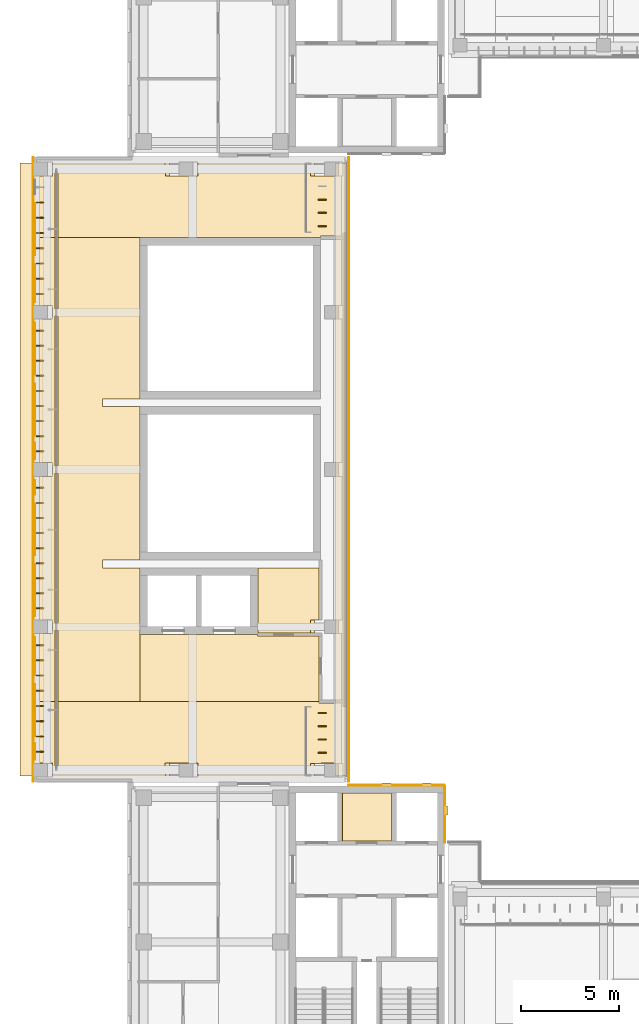
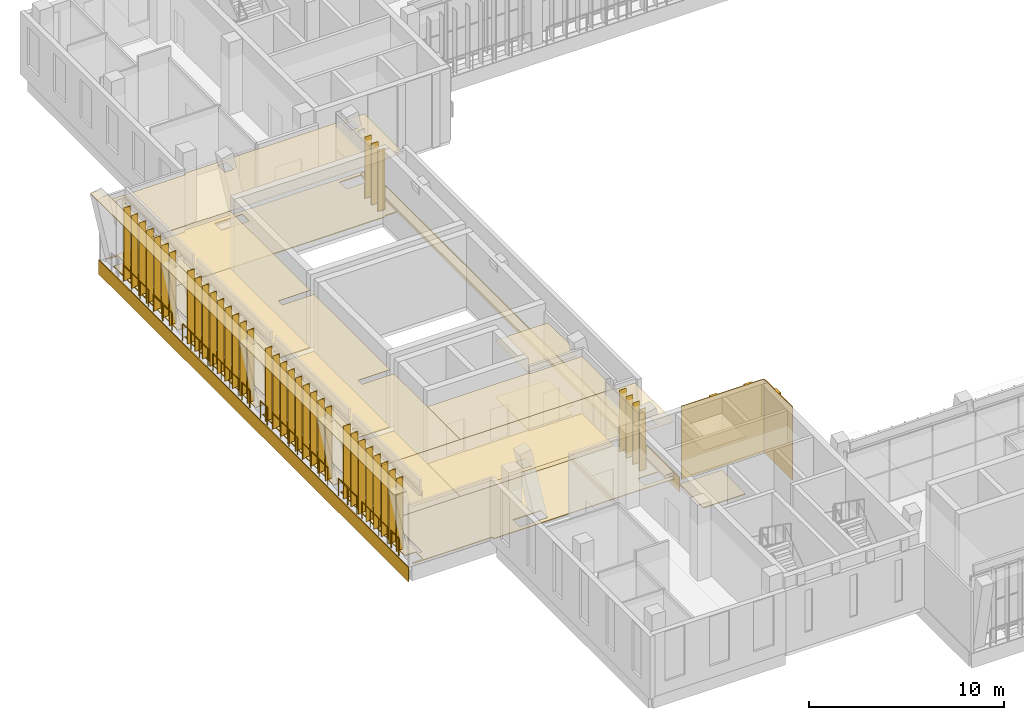
# One storey, part 59 of 73: 40 shading devices, 21 coverings, 11 railings.
"""IFC4 building model written with IfcOpenShell, lengths in metres."""

from ifc_helpers import new_model, si_unit, direction, frame, frame_2d, origin, origin_2d, place, context, subcontext, project, spatial, polyline, rectangle, circle, outline, extrude, material, layer, layer_set, type_object, element, save


model = new_model("IFC4")

# Units and contexts
model_context = context("Model", 3, precision=1e-05, world=origin(), true_north=direction((0.0, 1.0)))
body_context = subcontext(model_context, "Body", "Model", "MODEL_VIEW")
ifc_project = project(units=[si_unit("LENGTHUNIT", "METRE"), si_unit("AREAUNIT", "SQUARE_METRE"), si_unit("VOLUMEUNIT", "CUBIC_METRE"), si_unit("PLANEANGLEUNIT", "RADIAN"), si_unit("MASSUNIT", "GRAM", prefix="KILO")], contexts=[model_context])

# Site, building, storey
site_placement = place(None, origin())
site = spatial("IfcSite", under=ifc_project, at=site_placement, CompositionType="ELEMENT")
building_placement = place(site_placement, origin())
building = spatial("IfcBuilding", under=site, at=building_placement, Name="Lantern Court Media Centre", CompositionType="ELEMENT")
storey_placement = place(building_placement, frame((0.0, 0.0, 24.0)))
storey = spatial("IfcBuildingStorey", under=building, at=storey_placement, Name="L05", CompositionType="ELEMENT", Elevation=24.0)

# Coverings
ifc_material_1 = material(Name="Ceramic tile")
ifc_layer_1 = layer(ifc_material_1, 0.050048828125)
ifc_layer_set_1 = layer_set([ifc_layer_1], Name="Ceramic tile")
covering_type_1 = type_object("IfcCoveringType", Name="Ceramic tile floor finish", PredefinedType="FLOORING", material=ifc_layer_set_1)
covering_1_placement = place(storey_placement, origin())
element("IfcCovering", 1, at=covering_1_placement, inside=storey, type_object=covering_type_1, Name="Accessible WC floor finish", PredefinedType="FLOORING", context=body_context, shape_type="SweptSolid", body=[
    extrude(outline(polyline([(17.514892578125, 75.0), (17.514892578125, 72.35498046875), (17.091552734375, 72.352783203125), (17.0908203125, 71.679931640625), (14.405029296875, 71.679931640625), (14.405029296875, 75.0), (17.514892578125, 75.0)])), origin(), (0.0, 0.0, 1.0), 0.050048828125),
])
covering_2_placement = place(storey_placement, origin())
element("IfcCovering", 2, at=covering_2_placement, inside=storey, type_object=covering_type_1, Name="Accessible WC floor finish", PredefinedType="FLOORING", context=body_context, shape_type="SweptSolid", body=[
    extrude(outline(polyline([(21.195068359375, 63.544921875), (21.195068359375, 61.10498046875), (18.705078125, 61.10498046875), (18.705078125, 63.544921875), (21.195068359375, 63.544921875)])), origin(), (0.0, 0.0, 1.0), 0.050048828125),
])

# Railings
ifc_material_2 = material(Name="Powder-coated steel", Category="steel")
railing_type = type_object("IfcRailingType", Name="Floor edge guard 1100", PredefinedType="GUARDRAIL", material=ifc_material_2)
railing_1_placement = place(storey_placement, frame((3.06005859375, 65.259033203125, 0.0)))
element("IfcRailing", 3, at=railing_1_placement, inside=storey, type_object=railing_type, Name="L05 edge guard 153", PredefinedType="GUARDRAIL", context=body_context, shape_type="SweptSolid", body=[
    extrude(circle(Radius=0.02392578125, at=origin_2d()), frame((0.0, 0.0, 1.076171875), z_axis=(0.0, 1.0, 0.0), x_axis=(-1.0, 0.0, 0.0)), (0.0, 0.0, 1.0), 0.799072265625),
    extrude(circle(Radius=0.02099609375, at=origin_2d()), origin(), (0.0, 0.0, 1.0), 1.052001953125),
    extrude(circle(Radius=0.02099609375, at=origin_2d()), frame((0.0, 0.799072265625, 0.0)), (0.0, 0.0, 1.0), 1.052001953125),
])
railing_2_placement = place(storey_placement, frame((3.06005859375, 66.4580078125, 0.0)))
element("IfcRailing", 4, at=railing_2_placement, inside=storey, type_object=railing_type, Name="L05 edge guard 154", PredefinedType="GUARDRAIL", context=body_context, shape_type="SweptSolid", body=[
    extrude(circle(Radius=0.02392578125, at=origin_2d()), frame((0.0, 0.0, 1.076171875), z_axis=(0.0, 1.0, 0.0), x_axis=(-1.0, 0.0, 0.0)), (0.0, 0.0, 1.0), 2.597900390625),
    extrude(circle(Radius=0.02099609375, at=origin_2d()), origin(), (0.0, 0.0, 1.0), 1.052001953125),
    extrude(circle(Radius=0.02099609375, at=origin_2d()), frame((0.0, 0.865966796875, 0.0)), (0.0, 0.0, 1.0), 1.052001953125),
    extrude(circle(Radius=0.02099609375, at=origin_2d()), frame((0.0, 1.73193359375, 0.0)), (0.0, 0.0, 1.0), 1.052001953125),
    extrude(circle(Radius=0.02099609375, at=origin_2d()), frame((0.0, 2.597900390625, 0.0)), (0.0, 0.0, 1.0), 1.052001953125),
])
railing_3_placement = place(storey_placement, frame((3.06005859375, 69.554931640625, 0.0)))
element("IfcRailing", 5, at=railing_3_placement, inside=storey, type_object=railing_type, Name="L05 edge guard 155", PredefinedType="GUARDRAIL", context=body_context, shape_type="SweptSolid", body=[
    extrude(circle(Radius=0.02392578125, at=origin_2d()), frame((0.0, 0.0, 1.076171875), z_axis=(0.0, 1.0, 0.0), x_axis=(-1.0, 0.0, 0.0)), (0.0, 0.0, 1.0), 1.899169921875),
    extrude(circle(Radius=0.02099609375, at=origin_2d()), origin(), (0.0, 0.0, 1.0), 1.052001953125),
    extrude(circle(Radius=0.02099609375, at=origin_2d()), frame((0.0, 0.94970703125, 0.0)), (0.0, 0.0, 1.0), 1.052001953125),
    extrude(circle(Radius=0.02099609375, at=origin_2d()), frame((0.0, 1.899169921875, 0.0)), (0.0, 0.0, 1.0), 1.052001953125),
])
railing_4_placement = place(storey_placement, frame((3.06005859375, 72.552978515625, 0.0)))
element("IfcRailing", 6, at=railing_4_placement, inside=storey, type_object=railing_type, Name="L05 edge guard 156", PredefinedType="GUARDRAIL", context=body_context, shape_type="SweptSolid", body=[
    extrude(circle(Radius=0.02392578125, at=origin_2d()), frame((0.0, 0.0, 1.076171875), z_axis=(0.0, 1.0, 0.0), x_axis=(-1.0, 0.0, 0.0)), (0.0, 0.0, 1.0), 2.597900390625),
    extrude(circle(Radius=0.02099609375, at=origin_2d()), origin(), (0.0, 0.0, 1.0), 1.052001953125),
    extrude(circle(Radius=0.02099609375, at=origin_2d()), frame((0.0, 0.865966796875, 0.0)), (0.0, 0.0, 1.0), 1.052001953125),
    extrude(circle(Radius=0.02099609375, at=origin_2d()), frame((0.0, 1.73193359375, 0.0)), (0.0, 0.0, 1.0), 1.052001953125),
    extrude(circle(Radius=0.02099609375, at=origin_2d()), frame((0.0, 2.597900390625, 0.0)), (0.0, 0.0, 1.0), 1.052001953125),
])
railing_5_placement = place(storey_placement, frame((3.06005859375, 75.64990234375, 0.0)))
element("IfcRailing", 7, at=railing_5_placement, inside=storey, type_object=railing_type, Name="L05 edge guard 157", PredefinedType="GUARDRAIL", context=body_context, shape_type="SweptSolid", body=[
    extrude(circle(Radius=0.02392578125, at=origin_2d()), frame((0.0, 0.0, 1.076171875), z_axis=(0.0, 1.0, 0.0), x_axis=(-1.0, 0.0, 0.0)), (0.0, 0.0, 1.0), 2.59814453125),
    extrude(circle(Radius=0.02099609375, at=origin_2d()), origin(), (0.0, 0.0, 1.0), 1.052001953125),
    extrude(circle(Radius=0.02099609375, at=origin_2d()), frame((0.0, 0.865966796875, 0.0)), (0.0, 0.0, 1.0), 1.052001953125),
    extrude(circle(Radius=0.02099609375, at=origin_2d()), frame((0.0, 1.732177734375, 0.0)), (0.0, 0.0, 1.0), 1.052001953125),
    extrude(circle(Radius=0.02099609375, at=origin_2d()), frame((0.0, 2.59814453125, 0.0)), (0.0, 0.0, 1.0), 1.052001953125),
])
railing_6_placement = place(storey_placement, frame((3.06005859375, 78.748046875, 0.0)))
element("IfcRailing", 8, at=railing_6_placement, inside=storey, type_object=railing_type, Name="L05 edge guard 158", PredefinedType="GUARDRAIL", context=body_context, shape_type="SweptSolid", body=[
    extrude(circle(Radius=0.02392578125, at=origin_2d()), frame((0.0, 0.0, 1.076171875), z_axis=(0.0, 1.0, 0.0), x_axis=(-1.0, 0.0, 0.0)), (0.0, 0.0, 1.0), 0.698974609375),
    extrude(circle(Radius=0.02099609375, at=origin_2d()), origin(), (0.0, 0.0, 1.0), 1.052001953125),
    extrude(circle(Radius=0.02099609375, at=origin_2d()), frame((0.0, 0.698974609375, 0.0)), (0.0, 0.0, 1.0), 1.052001953125),
])
railing_7_placement = place(storey_placement, frame((3.06005859375, 80.5458984375, 0.0)))
element("IfcRailing", 9, at=railing_7_placement, inside=storey, type_object=railing_type, Name="L05 edge guard 159", PredefinedType="GUARDRAIL", context=body_context, shape_type="SweptSolid", body=[
    extrude(circle(Radius=0.02392578125, at=origin_2d()), frame((0.0, 0.0, 1.076171875), z_axis=(0.0, 1.0, 0.0), x_axis=(-1.0, 0.0, 0.0)), (0.0, 0.0, 1.0), 0.799072265625),
    extrude(circle(Radius=0.02099609375, at=origin_2d()), origin(), (0.0, 0.0, 1.0), 1.052001953125),
    extrude(circle(Radius=0.02099609375, at=origin_2d()), frame((0.0, 0.799072265625, 0.0)), (0.0, 0.0, 1.0), 1.052001953125),
])
for number, where, name in (
    (10, (3.06005859375, 81.7451171875, 0.0), "L05 edge guard 160"),
    (11, (3.06005859375, 84.842041015625, 0.0), "L05 edge guard 161"),
):
    element("IfcRailing", number, at=place(storey_placement, frame(where)), inside=storey, type_object=railing_type, Name=name, PredefinedType="GUARDRAIL", context=body_context, shape_type="SweptSolid", body=[
        extrude(circle(Radius=0.02392578125, at=origin_2d()), frame((0.0, 0.0, 1.076171875), z_axis=(0.0, 1.0, 0.0), x_axis=(-1.0, 0.0, 0.0)), (0.0, 0.0, 1.0), 2.597900390625),
        extrude(circle(Radius=0.02099609375, at=origin_2d()), origin(), (0.0, 0.0, 1.0), 1.052001953125),
        extrude(circle(Radius=0.02099609375, at=origin_2d()), frame((0.0, 0.865966796875, 0.0)), (0.0, 0.0, 1.0), 1.052001953125),
        extrude(circle(Radius=0.02099609375, at=origin_2d()), frame((0.0, 1.73193359375, 0.0)), (0.0, 0.0, 1.0), 1.052001953125),
        extrude(circle(Radius=0.02099609375, at=origin_2d()), frame((0.0, 2.597900390625, 0.0)), (0.0, 0.0, 1.0), 1.052001953125),
    ])
railing_8_placement = place(storey_placement, frame((3.06005859375, 88.5390625, 0.0)))
element("IfcRailing", 12, at=railing_8_placement, inside=storey, type_object=railing_type, Name="L05 edge guard 162", PredefinedType="GUARDRAIL", context=body_context, shape_type="SweptSolid", body=[
    extrude(circle(Radius=0.02392578125, at=origin_2d()), frame((0.0, 0.0, 1.076171875), z_axis=(0.0, 1.0, 0.0), x_axis=(-1.0, 0.0, 0.0)), (0.0, 0.0, 1.0), 1.89892578125),
    extrude(circle(Radius=0.02099609375, at=origin_2d()), origin(), (0.0, 0.0, 1.0), 1.052001953125),
    extrude(circle(Radius=0.02099609375, at=origin_2d()), frame((0.0, 0.949462890625, 0.0)), (0.0, 0.0, 1.0), 1.052001953125),
    extrude(circle(Radius=0.02099609375, at=origin_2d()), frame((0.0, 1.89892578125, 0.0)), (0.0, 0.0, 1.0), 1.052001953125),
])
railing_9_placement = place(storey_placement, frame((3.06005859375, 90.93701171875, 0.0)))
element("IfcRailing", 13, at=railing_9_placement, inside=storey, type_object=railing_type, Name="L05 edge guard 163", PredefinedType="GUARDRAIL", context=body_context, shape_type="SweptSolid", body=[
    extrude(circle(Radius=0.02392578125, at=origin_2d()), frame((0.0, 0.0, 1.076171875), z_axis=(0.0, 1.0, 0.0), x_axis=(-1.0, 0.0, 0.0)), (0.0, 0.0, 1.0), 2.597900390625),
    extrude(circle(Radius=0.02099609375, at=origin_2d()), origin(), (0.0, 0.0, 1.0), 1.052001953125),
    extrude(circle(Radius=0.02099609375, at=origin_2d()), frame((0.0, 0.865966796875, 0.0)), (0.0, 0.0, 1.0), 1.052001953125),
    extrude(circle(Radius=0.02099609375, at=origin_2d()), frame((0.0, 1.73193359375, 0.0)), (0.0, 0.0, 1.0), 1.052001953125),
    extrude(circle(Radius=0.02099609375, at=origin_2d()), frame((0.0, 2.597900390625, 0.0)), (0.0, 0.0, 1.0), 1.052001953125),
])

# Coverings
ifc_material_3 = material(Name="White glass-fibre reinforced cement cladding", Category="concrete")
ifc_layer_2 = layer(ifc_material_3, 0.050048828125)
ifc_layer_set_2 = layer_set([ifc_layer_2], Name="White glass-fibre reinforced cement cladding")
covering_type_2 = type_object("IfcCoveringType", Name="Floor-edge band 50", PredefinedType="CLADDING", material=ifc_layer_set_2)
for number, where, z_axis, x_axis, name in (
    (14, (2.97509765625, 64.10009765625, -0.89990234375), (0.0, 0.0, 1.0), (0.0, 1.0, 0.0), "Floor-edge band W outer L05"),
    (15, (19.02490234375, 64.10009765625, -0.89990234375), (0.0, 0.0, 1.0), (0.0, 1.0, 0.0), "Floor-edge band W inner L05"),
):
    element("IfcCovering", number, at=place(storey_placement, frame(where, z_axis=z_axis, x_axis=x_axis)), inside=storey, type_object=covering_type_2, Name=name, PredefinedType="CLADDING", context=body_context, shape_type="SweptSolid", body=[
        extrude(rectangle(XDim=31.7998046875, YDim=0.050048828125, at=frame_2d((15.89990234375, 0.0))), origin(), (0.0, 0.0, 1.0), 0.89990234375),
    ])
ifc_material_4 = material(Name="Honed limestone cladding", Category="masonry")
ifc_layer_3 = layer(ifc_material_4, 0.050048828125)
ifc_layer_set_3 = layer_set([ifc_layer_3], Name="Honed limestone cladding")
covering_type_3 = type_object("IfcCoveringType", Name="Limestone cladding panel 50", PredefinedType="CLADDING", material=ifc_layer_set_3)
covering_3_placement = place(storey_placement, frame((23.925048828125, 61.0, 0.0), z_axis=(0.0, 0.0, 1.0), x_axis=(0.0, 1.0, 0.0)))
element("IfcCovering", 16, at=covering_3_placement, inside=storey, type_object=covering_type_3, Name="Limestone joint cladding S-SW L05", PredefinedType="CLADDING", context=body_context, shape_type="SweptSolid", body=[
    extrude(rectangle(XDim=2.89990234375, YDim=0.050048828125, at=frame_2d((1.449951171875, 0.0))), origin(), (0.0, 0.0, 1.0), 4.580078125),
])
covering_4_placement = place(storey_placement, frame((19.0, 63.925048828125, 0.0), z_axis=(0.0, 0.0, 1.0), x_axis=(1.0, 0.0, 0.0)))
element("IfcCovering", 17, at=covering_4_placement, inside=storey, type_object=covering_type_3, Name="Limestone joint cladding W-SW L05", PredefinedType="CLADDING", context=body_context, shape_type="SweptSolid", body=[
    extrude(rectangle(XDim=4.89990234375, YDim=0.050048828125, at=frame_2d((2.449951171875, 0.0))), origin(), (0.0, 0.0, 1.0), 4.580078125),
])
ifc_layer_4 = layer(ifc_material_4, 0.14990234375)
ifc_layer_set_4 = layer_set([ifc_layer_4], Name="Honed limestone cladding")
covering_type_4 = type_object("IfcCoveringType", Name="Limestone pilaster cladding 150", PredefinedType="CLADDING", material=ifc_layer_set_4)
covering_5_placement = place(storey_placement, frame((20.72509765625, 63.97509765625, 0.0), z_axis=(0.0, 0.0, 1.0), x_axis=(1.0, 0.0, 0.0)))
element("IfcCovering", 18, at=covering_5_placement, inside=storey, type_object=covering_type_4, Name="Limestone pilaster rib", PredefinedType="CLADDING", context=body_context, shape_type="SweptSolid", body=[
    extrude(rectangle(XDim=0.449951171875, YDim=0.14990234375, at=frame_2d((0.22509765625, 0.0))), origin(), (0.0, 0.0, 1.0), 4.580078125),
])
covering_6_placement = place(storey_placement, frame((22.77490234375, 63.97509765625, 0.0), z_axis=(0.0, 0.0, 1.0), x_axis=(1.0, 0.0, 0.0)))
element("IfcCovering", 19, at=covering_6_placement, inside=storey, type_object=covering_type_4, Name="Limestone pilaster rib", PredefinedType="CLADDING", context=body_context, shape_type="SweptSolid", body=[
    extrude(rectangle(XDim=0.4501953125, YDim=0.14990234375, at=frame_2d((0.22509765625, 0.0))), origin(), (0.0, 0.0, 1.0), 4.580078125),
])
covering_7_placement = place(storey_placement, frame((23.97509765625, 62.425048828125, 0.0), z_axis=(0.0, 0.0, 1.0), x_axis=(0.0, 1.0, 0.0)))
element("IfcCovering", 20, at=covering_7_placement, inside=storey, type_object=covering_type_4, Name="Limestone pilaster rib", PredefinedType="CLADDING", context=body_context, shape_type="SweptSolid", body=[
    extrude(rectangle(XDim=0.449951171875, YDim=0.14990234375, at=frame_2d((0.22509765625, 0.0))), origin(), (0.0, 0.0, 1.0), 4.580078125),
])
ifc_material_5 = material(Name="Planting substrate")
ifc_layer_5 = layer(ifc_material_5, 0.199951171875)
ifc_layer_set_5 = layer_set([ifc_layer_5], Name="Planting substrate")
covering_type_5 = type_object("IfcCoveringType", Name="Planted ledge build-up 200", PredefinedType="ROOFING", material=ifc_layer_set_5)
covering_8_placement = place(storey_placement, origin())
element("IfcCovering", 21, at=covering_8_placement, inside=storey, type_object=covering_type_5, Name="Planted ledge W L05", PredefinedType="ROOFING", context=body_context, shape_type="SweptSolid", body=[
    extrude(outline(polyline([(18.85009765625, 64.39990234375), (18.85009765625, 95.60009765625), (18.320068359375, 95.60009765625), (18.320068359375, 64.39990234375), (18.85009765625, 64.39990234375)])), origin(), (0.0, 0.0, 1.0), 0.199951171875),
])
ifc_material_6 = material(Name="White fibre cement soffit board")
ifc_layer_6 = layer(ifc_material_6, 0.0400390625)
ifc_layer_set_6 = layer_set([ifc_layer_6], Name="White fibre cement soffit board")
covering_type_6 = type_object("IfcCoveringType", Name="Soffit lining 40", PredefinedType="CLADDING", material=ifc_layer_set_6)
covering_9_placement = place(storey_placement, frame((2.64990234375, 64.39990234375, 4.5400390625), z_axis=(0.0, 0.0, 1.0), x_axis=(0.0, 1.0, 0.0)))
element("IfcCovering", 22, at=covering_9_placement, inside=storey, type_object=covering_type_6, Name="Soffit lining W L05", PredefinedType="CLADDING", context=body_context, shape_type="SweptSolid", body=[
    extrude(rectangle(XDim=31.2001953125, YDim=0.699951171875, at=frame_2d((15.60009765625, 0.0))), origin(), (0.0, 0.0, 1.0), 0.0400390625),
])
ifc_material_7 = material(Name="Mineral fibre ceiling tile")
ifc_layer_7 = layer(ifc_material_7, 0.02001953125)
ifc_layer_set_7 = layer_set([ifc_layer_7], Name="Mineral fibre ceiling tile")
covering_type_7 = type_object("IfcCoveringType", Name="Suspended ceiling tile", PredefinedType="CEILING", material=ifc_layer_set_7)
covering_10_placement = place(storey_placement, frame((0.0, 0.0, 3.60009765625)))
element("IfcCovering", 23, at=covering_10_placement, inside=storey, type_object=covering_type_7, Name="End Lobby ceiling", PredefinedType="CEILING", context=body_context, shape_type="SweptSolid", body=[
    extrude(outline(polyline([(18.699951171875, 64.10009765625), (8.00048828125, 64.10009765625), (8.0, 64.240478515625), (3.300048828125, 64.240478515625), (3.300048828125, 68.199951171875), (4.074462890625, 68.199951171875), (4.074951171875, 64.8994140625), (4.2255859375, 64.89990234375), (4.2255859375, 68.199951171875), (17.51953125, 68.199951171875), (17.52001953125, 68.119384765625), (18.699951171875, 68.119384765625), (18.699951171875, 64.10009765625)]), holes=[polyline([(17.2978515625, 65.050537109375), (17.29736328125, 64.349609375), (17.796142578125, 64.349609375), (17.796142578125, 65.05029296875), (17.2978515625, 65.050537109375)]), polyline([(9.89794921875, 65.050537109375), (9.8974609375, 64.349609375), (10.39599609375, 64.349609375), (10.396240234375, 65.05029296875), (9.89794921875, 65.050537109375)])]), origin(), (0.0, 0.0, 1.0), 0.02001953125),
])
covering_11_placement = place(storey_placement, frame((0.0, 0.0, 3.60009765625)))
element("IfcCovering", 24, at=covering_11_placement, inside=storey, type_object=covering_type_7, Name="End Lobby ceiling", PredefinedType="CEILING", context=body_context, shape_type="SweptSolid", body=[
    extrude(outline(polyline([(18.699951171875, 95.89990234375), (18.699951171875, 91.880615234375), (17.60498046875, 91.880615234375), (17.6044921875, 91.800048828125), (4.2255859375, 91.800048828125), (4.2255859375, 95.10009765625), (4.074951171875, 95.1005859375), (4.074462890625, 91.800048828125), (3.300048828125, 91.800048828125), (3.300048828125, 95.759521484375), (8.0, 95.759521484375), (8.00048828125, 95.89990234375), (18.699951171875, 95.89990234375)]), holes=[polyline([(17.79638671875, 95.64990234375), (17.29736328125, 95.650390625), (17.297607421875, 94.949462890625), (17.796142578125, 94.94970703125), (17.79638671875, 95.64990234375)]), polyline([(9.89794921875, 95.650390625), (9.8974609375, 94.94970703125), (10.39599609375, 94.949462890625), (10.396240234375, 95.650390625), (9.89794921875, 95.650390625)])]), origin(), (0.0, 0.0, 1.0), 0.02001953125),
])
covering_12_placement = place(storey_placement, frame((0.0, 0.0, 3.60009765625)))
element("IfcCovering", 25, at=covering_12_placement, inside=storey, type_object=covering_type_7, Name="Lift Lobby ceiling", PredefinedType="CEILING", context=body_context, shape_type="SweptSolid", body=[
    extrude(outline(polyline([(8.39990234375, 68.199951171875), (8.39990234375, 71.599609375), (14.3994140625, 71.599609375), (14.39990234375, 71.5244140625), (17.51953125, 71.5244140625), (17.51953125, 68.199951171875), (8.39990234375, 68.199951171875)])), origin(), (0.0, 0.0, 1.0), 0.02001953125),
])
covering_13_placement = place(storey_placement, frame((0.0, 0.0, 3.60009765625)))
element("IfcCovering", 26, at=covering_13_placement, inside=storey, type_object=covering_type_7, Name="Accessible WC ceiling", PredefinedType="CEILING", context=body_context, shape_type="SweptSolid", body=[
    extrude(outline(polyline([(17.60009765625, 72.3505859375), (17.29736328125, 72.35009765625), (17.29736328125, 71.675537109375), (14.400390625, 71.675537109375), (14.400390625, 75.0), (17.51953125, 75.0), (17.51953125, 72.35498046875), (17.60009765625, 72.3505859375)])), origin(), (0.0, 0.0, 1.0), 0.02001953125),
])
covering_14_placement = place(storey_placement, frame((0.0, 0.0, 3.60009765625)))
element("IfcCovering", 27, at=covering_14_placement, inside=storey, type_object=covering_type_7, Name="Cinema Lobby ceiling", PredefinedType="CEILING", context=body_context, shape_type="SweptSolid", body=[
    extrude(outline(polyline([(8.39990234375, 68.199951171875), (4.2255859375, 68.199951171875), (4.22509765625, 71.800537109375), (4.074462890625, 71.800048828125), (4.074462890625, 68.199951171875), (3.300048828125, 68.199951171875), (3.300048828125, 91.800048828125), (4.074462890625, 91.800048828125), (4.074951171875, 88.199462890625), (4.2255859375, 88.199951171875), (4.2255859375, 91.800048828125), (8.3994140625, 91.800048828125), (8.3994140625, 83.60009765625), (6.5, 83.60009765625), (6.5, 83.199951171875), (8.3994140625, 83.199951171875), (8.3994140625, 75.39990234375), (6.5, 75.39990234375), (6.5, 75.0), (8.3994140625, 75.0), (8.39990234375, 68.199951171875)]), holes=[polyline([(4.22509765625, 80.199462890625), (4.2255859375, 87.800048828125), (4.074951171875, 87.800537109375), (4.074462890625, 80.199951171875), (4.22509765625, 80.199462890625)]), polyline([(4.22509765625, 72.199462890625), (4.2255859375, 79.800048828125), (4.074951171875, 79.800537109375), (4.074462890625, 72.199951171875), (4.22509765625, 72.199462890625)])]), origin(), (0.0, 0.0, 1.0), 0.02001953125),
])
covering_15_placement = place(storey_placement, frame((0.0, 0.0, 3.60009765625)))
element("IfcCovering", 28, at=covering_15_placement, inside=storey, type_object=covering_type_7, Name="Accessible WC ceiling", PredefinedType="CEILING", context=body_context, shape_type="SweptSolid", body=[
    extrude(outline(polyline([(21.199462890625, 63.549560546875), (21.199462890625, 61.1005859375), (18.700439453125, 61.1005859375), (18.700439453125, 63.549560546875), (21.199462890625, 63.549560546875)])), origin(), (0.0, 0.0, 1.0), 0.02001953125),
])
ifc_material_8 = material(Name="Terrazzo")
ifc_layer_8 = layer(ifc_material_8, 0.050048828125)
ifc_layer_set_8 = layer_set([ifc_layer_8], Name="Terrazzo")
covering_type_8 = type_object("IfcCoveringType", Name="Terrazzo floor finish", PredefinedType="FLOORING", material=ifc_layer_set_8)
covering_16_placement = place(storey_placement, origin())
element("IfcCovering", 29, at=covering_16_placement, inside=storey, type_object=covering_type_8, Name="End Lobby floor finish", PredefinedType="FLOORING", context=body_context, shape_type="SweptSolid", body=[
    extrude(outline(polyline([(18.699951171875, 64.10009765625), (8.0048828125, 64.10009765625), (8.0, 64.2451171875), (3.300048828125, 64.2451171875), (3.300048828125, 64.344970703125), (3.955078125, 64.35009765625), (3.95361328125, 65.053466796875), (3.300048828125, 65.054931640625), (3.300048828125, 68.199951171875), (4.070068359375, 68.199951171875), (4.074951171875, 64.89501953125), (4.22998046875, 64.89990234375), (4.22998046875, 68.199951171875), (17.514892578125, 68.199951171875), (17.51953125, 68.114990234375), (18.699951171875, 68.114990234375), (18.699951171875, 65.054931640625), (17.0908203125, 65.050048828125), (17.093505859375, 64.345703125), (18.699951171875, 64.344970703125), (18.699951171875, 64.10009765625)]), holes=[polyline([(11.35009765625, 64.344970703125), (11.351806640625, 65.0546875), (9.691162109375, 65.052001953125), (9.69384765625, 64.345458984375), (11.35009765625, 64.344970703125)])]), origin(), (0.0, 0.0, 1.0), 0.050048828125),
])
covering_17_placement = place(storey_placement, origin())
element("IfcCovering", 30, at=covering_17_placement, inside=storey, type_object=covering_type_8, Name="End Lobby floor finish", PredefinedType="FLOORING", context=body_context, shape_type="SweptSolid", body=[
    extrude(outline(polyline([(18.699951171875, 91.885009765625), (17.6044921875, 91.885009765625), (17.60009765625, 91.804931640625), (4.22998046875, 91.800048828125), (4.22998046875, 95.10009765625), (4.074951171875, 95.10498046875), (4.070068359375, 91.800048828125), (3.300048828125, 91.800048828125), (3.300048828125, 94.945068359375), (3.955078125, 94.949951171875), (3.953857421875, 95.653076171875), (3.300048828125, 95.655029296875), (3.300048828125, 95.7548828125), (8.0, 95.7548828125), (8.0048828125, 95.89990234375), (18.699951171875, 95.89990234375), (18.699951171875, 95.655029296875), (17.0908203125, 95.64990234375), (17.093994140625, 94.9453125), (18.699951171875, 94.945068359375), (18.699951171875, 91.885009765625)]), holes=[polyline([(11.35009765625, 94.945068359375), (11.351806640625, 95.654541015625), (9.691162109375, 95.65185546875), (9.69384765625, 94.9453125), (11.35009765625, 94.945068359375)])]), origin(), (0.0, 0.0, 1.0), 0.050048828125),
])
covering_18_placement = place(storey_placement, origin())
element("IfcCovering", 31, at=covering_18_placement, inside=storey, type_object=covering_type_8, Name="Lift Lobby floor finish", PredefinedType="FLOORING", context=body_context, shape_type="SweptSolid", body=[
    extrude(outline(polyline([(8.39990234375, 68.199951171875), (8.39990234375, 71.594970703125), (14.39501953125, 71.594970703125), (14.39990234375, 71.52001953125), (17.514892578125, 71.52001953125), (17.514892578125, 68.199951171875), (8.39990234375, 68.199951171875)])), origin(), (0.0, 0.0, 1.0), 0.050048828125),
])
covering_19_placement = place(storey_placement, origin())
element("IfcCovering", 32, at=covering_19_placement, inside=storey, type_object=covering_type_8, Name="Cinema Lobby floor finish", PredefinedType="FLOORING", context=body_context, shape_type="SweptSolid", body=[
    extrude(outline(polyline([(8.39990234375, 68.199951171875), (4.22998046875, 68.199951171875), (4.22509765625, 71.804931640625), (4.070068359375, 71.800048828125), (4.070068359375, 68.199951171875), (3.300048828125, 68.199951171875), (3.300048828125, 71.64501953125), (3.955078125, 71.64990234375), (3.95361328125, 72.353515625), (3.300048828125, 72.35498046875), (3.300048828125, 79.64501953125), (3.955078125, 79.64990234375), (3.95361328125, 80.353515625), (3.300048828125, 80.35498046875), (3.300048828125, 87.64501953125), (3.955078125, 87.64990234375), (3.95361328125, 88.353515625), (3.300048828125, 88.35498046875), (3.300048828125, 91.800048828125), (4.070068359375, 91.800048828125), (4.074951171875, 88.195068359375), (4.22998046875, 88.199951171875), (4.22998046875, 91.800048828125), (8.39501953125, 91.800048828125), (8.39501953125, 83.60009765625), (6.5, 83.60009765625), (6.5, 83.199951171875), (8.39501953125, 83.199951171875), (8.39501953125, 75.39990234375), (6.5, 75.39990234375), (6.5, 75.0), (8.39501953125, 75.0), (8.39990234375, 68.199951171875)]), holes=[polyline([(4.22509765625, 80.195068359375), (4.22998046875, 87.800048828125), (4.074951171875, 87.804931640625), (4.070068359375, 80.199951171875), (4.22509765625, 80.195068359375)]), polyline([(4.22509765625, 72.195068359375), (4.22998046875, 79.800048828125), (4.074951171875, 79.804931640625), (4.070068359375, 72.199951171875), (4.22509765625, 72.195068359375)])]), origin(), (0.0, 0.0, 1.0), 0.050048828125),
])

# Shading devices
ifc_material_9 = material(Name="Bronze anodised aluminium louvre", Category="aluminium")
ifc_layer_9 = layer(ifc_material_9, 0.0400390625)
ifc_layer_set_9 = layer_set([ifc_layer_9], Name="Bronze anodised aluminium louvre")
shading_device_type_1 = type_object("IfcShadingDeviceType", Name="Vertical louvre 40x400 full storey", PredefinedType="USERDEFINED", material=ifc_layer_set_9)
for number, where, z_axis, x_axis, name in (
    (33, (3.320068359375, 65.637451171875, 0.0), (0.0, 0.0, 1.0), (1.0, 0.0, 0.0), "Vertical louvre W outer L05"),
    (34, (3.320068359375, 66.41259765625, 0.0), (0.0, 0.0, 1.0), (1.0, 0.0, 0.0), "Vertical louvre W outer L05"),
    (35, (3.320068359375, 67.1875, 0.0), (0.0, 0.0, 1.0), (1.0, 0.0, 0.0), "Vertical louvre W outer L05"),
    (36, (3.320068359375, 67.96240234375, 0.0), (0.0, 0.0, 1.0), (1.0, 0.0, 0.0), "Vertical louvre W outer L05"),
    (37, (3.320068359375, 68.737548828125, 0.0), (0.0, 0.0, 1.0), (1.0, 0.0, 0.0), "Vertical louvre W outer L05"),
    (38, (3.320068359375, 69.512451171875, 0.0), (0.0, 0.0, 1.0), (1.0, 0.0, 0.0), "Vertical louvre W outer L05"),
    (39, (3.320068359375, 70.28759765625, 0.0), (0.0, 0.0, 1.0), (1.0, 0.0, 0.0), "Vertical louvre W outer L05"),
    (40, (3.320068359375, 71.0625, 0.0), (0.0, 0.0, 1.0), (1.0, 0.0, 0.0), "Vertical louvre W outer L05"),
    (41, (3.320068359375, 72.933349609375, 0.0), (0.0, 0.0, 1.0), (1.0, 0.0, 0.0), "Vertical louvre W outer L05"),
    (42, (3.320068359375, 73.699951171875, 0.0), (0.0, 0.0, 1.0), (1.0, 0.0, 0.0), "Vertical louvre W outer L05"),
    (43, (3.320068359375, 74.466552734375, 0.0), (0.0, 0.0, 1.0), (1.0, 0.0, 0.0), "Vertical louvre W outer L05"),
    (44, (3.320068359375, 75.2333984375, 0.0), (0.0, 0.0, 1.0), (1.0, 0.0, 0.0), "Vertical louvre W outer L05"),
    (45, (3.320068359375, 76.0, 0.0), (0.0, 0.0, 1.0), (1.0, 0.0, 0.0), "Vertical louvre W outer L05"),
    (46, (3.320068359375, 76.7666015625, 0.0), (0.0, 0.0, 1.0), (1.0, 0.0, 0.0), "Vertical louvre W outer L05"),
    (47, (3.320068359375, 77.533447265625, 0.0), (0.0, 0.0, 1.0), (1.0, 0.0, 0.0), "Vertical louvre W outer L05"),
    (48, (3.320068359375, 78.300048828125, 0.0), (0.0, 0.0, 1.0), (1.0, 0.0, 0.0), "Vertical louvre W outer L05"),
    (49, (3.320068359375, 79.066650390625, 0.0), (0.0, 0.0, 1.0), (1.0, 0.0, 0.0), "Vertical louvre W outer L05"),
    (50, (3.320068359375, 80.933349609375, 0.0), (0.0, 0.0, 1.0), (1.0, 0.0, 0.0), "Vertical louvre W outer L05"),
    (51, (3.320068359375, 81.699951171875, 0.0), (0.0, 0.0, 1.0), (1.0, 0.0, 0.0), "Vertical louvre W outer L05"),
    (52, (3.320068359375, 82.466552734375, 0.0), (0.0, 0.0, 1.0), (1.0, 0.0, 0.0), "Vertical louvre W outer L05"),
    (53, (3.320068359375, 83.2333984375, 0.0), (0.0, 0.0, 1.0), (1.0, 0.0, 0.0), "Vertical louvre W outer L05"),
    (54, (3.320068359375, 84.0, 0.0), (0.0, 0.0, 1.0), (1.0, 0.0, 0.0), "Vertical louvre W outer L05"),
    (55, (3.320068359375, 84.7666015625, 0.0), (0.0, 0.0, 1.0), (1.0, 0.0, 0.0), "Vertical louvre W outer L05"),
    (56, (3.320068359375, 85.533447265625, 0.0), (0.0, 0.0, 1.0), (1.0, 0.0, 0.0), "Vertical louvre W outer L05"),
    (57, (3.320068359375, 86.300048828125, 0.0), (0.0, 0.0, 1.0), (1.0, 0.0, 0.0), "Vertical louvre W outer L05"),
    (58, (3.320068359375, 87.066650390625, 0.0), (0.0, 0.0, 1.0), (1.0, 0.0, 0.0), "Vertical louvre W outer L05"),
    (59, (3.320068359375, 88.9375, 0.0), (0.0, 0.0, 1.0), (1.0, 0.0, 0.0), "Vertical louvre W outer L05"),
    (60, (3.320068359375, 89.71240234375, 0.0), (0.0, 0.0, 1.0), (1.0, 0.0, 0.0), "Vertical louvre W outer L05"),
    (61, (3.320068359375, 90.487548828125, 0.0), (0.0, 0.0, 1.0), (1.0, 0.0, 0.0), "Vertical louvre W outer L05"),
    (62, (3.320068359375, 91.262451171875, 0.0), (0.0, 0.0, 1.0), (1.0, 0.0, 0.0), "Vertical louvre W outer L05"),
    (63, (3.320068359375, 92.03759765625, 0.0), (0.0, 0.0, 1.0), (1.0, 0.0, 0.0), "Vertical louvre W outer L05"),
    (64, (3.320068359375, 92.8125, 0.0), (0.0, 0.0, 1.0), (1.0, 0.0, 0.0), "Vertical louvre W outer L05"),
    (65, (3.320068359375, 93.58740234375, 0.0), (0.0, 0.0, 1.0), (1.0, 0.0, 0.0), "Vertical louvre W outer L05"),
):
    element("IfcShadingDevice", number, at=place(storey_placement, frame(where, z_axis=z_axis, x_axis=x_axis)), inside=storey, type_object=shading_device_type_1, Name=name, ObjectType="VERTICAL LOUVRE", PredefinedType="USERDEFINED", context=body_context, shape_type="SweptSolid", body=[
        extrude(rectangle(XDim=0.39990234375, YDim=0.0400390625, at=origin_2d()), origin(), (0.0, 0.0, 1.0), 4.580078125),
    ])
ifc_layer_10 = layer(ifc_material_9, 0.0400390625)
ifc_layer_set_10 = layer_set([ifc_layer_10], Name="Bronze anodised aluminium louvre")
shading_device_type_2 = type_object("IfcShadingDeviceType", Name="Vertical louvre 40x400 under beam", PredefinedType="USERDEFINED", material=ifc_layer_set_10)
for number, where, z_axis, x_axis, name in (
    (66, (17.679931640625, 65.58740234375, 0.0), (0.0, 0.0, 1.0), (1.0, 0.0, 0.0), "Vertical louvre W inner L05"),
    (67, (17.679931640625, 66.262451171875, 0.0), (0.0, 0.0, 1.0), (1.0, 0.0, 0.0), "Vertical louvre W inner L05"),
    (68, (17.679931640625, 66.9375, 0.0), (0.0, 0.0, 1.0), (1.0, 0.0, 0.0), "Vertical louvre W inner L05"),
    (69, (17.679931640625, 67.612548828125, 0.0), (0.0, 0.0, 1.0), (1.0, 0.0, 0.0), "Vertical louvre W inner L05"),
    (70, (17.679931640625, 92.387451171875, 0.0), (0.0, 0.0, 1.0), (1.0, 0.0, 0.0), "Vertical louvre W inner L05"),
    (71, (17.679931640625, 93.0625, 0.0), (0.0, 0.0, 1.0), (1.0, 0.0, 0.0), "Vertical louvre W inner L05"),
    (72, (17.679931640625, 93.737548828125, 0.0), (0.0, 0.0, 1.0), (1.0, 0.0, 0.0), "Vertical louvre W inner L05"),
):
    element("IfcShadingDevice", number, at=place(storey_placement, frame(where, z_axis=z_axis, x_axis=x_axis)), inside=storey, type_object=shading_device_type_2, Name=name, ObjectType="VERTICAL LOUVRE", PredefinedType="USERDEFINED", context=body_context, shape_type="SweptSolid", body=[
        extrude(rectangle(XDim=0.39990234375, YDim=0.0400390625, at=origin_2d()), origin(), (0.0, 0.0, 1.0), 3.89990234375),
    ])

save(model, "model.ifc")
